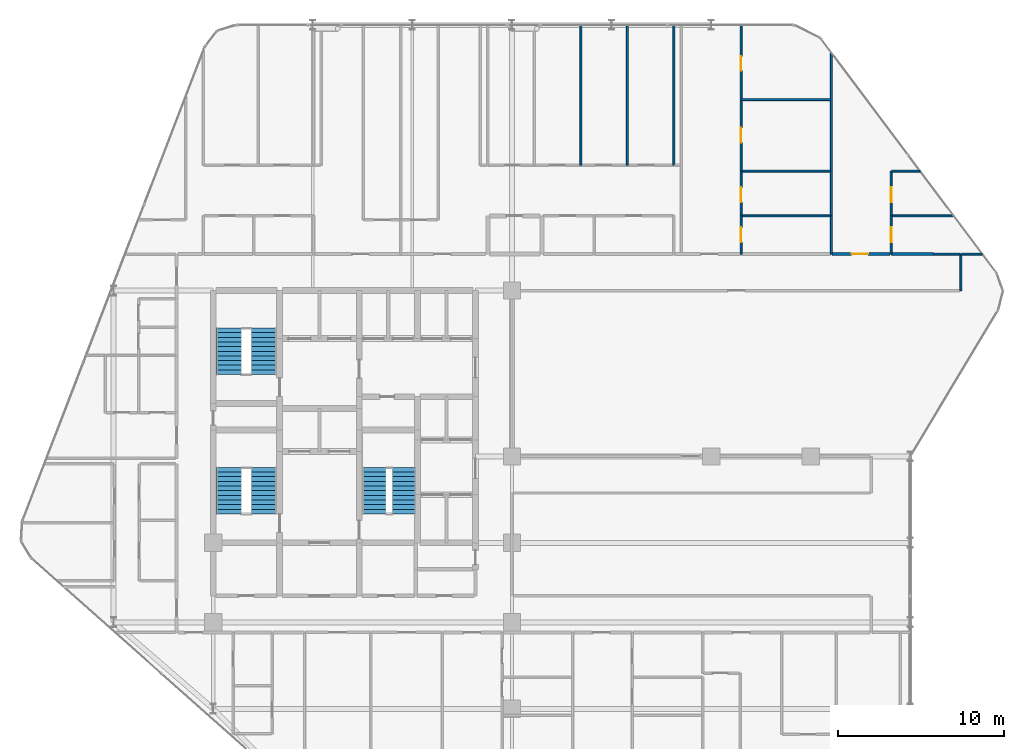
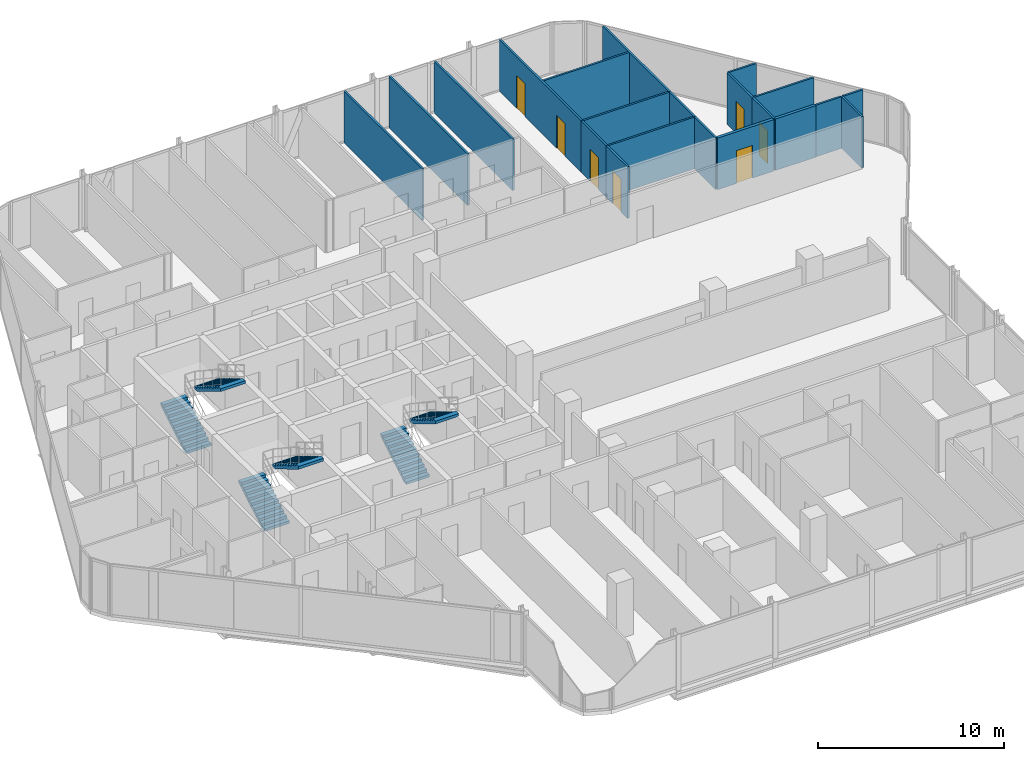
# One storey, part 29 of 30: 21 walls, 7 doors, 6 stair flights, 7 openings, 3 elements without a shape of their own.
"""IFC4 building model written with IfcOpenShell, lengths in metres."""

from ifc_helpers import new_model, si_unit, direction, frame, frame_2d, origin, place, context, subcontext, project, spatial, polyline, rectangle, outline, extrude, material, layer, layer_set, type_object, element, fill, aggregate, save


model = new_model("IFC4")

# Units and contexts
model_context = context("Model", 3, precision=1e-05, world=origin(), true_north=direction((0.0, 1.0)))
body_context = subcontext(model_context, "Body", "Model", "MODEL_VIEW")
ifc_project = project(units=[si_unit("LENGTHUNIT", "METRE"), si_unit("AREAUNIT", "SQUARE_METRE"), si_unit("VOLUMEUNIT", "CUBIC_METRE"), si_unit("PLANEANGLEUNIT", "RADIAN"), si_unit("MASSUNIT", "GRAM", prefix="KILO")], contexts=[model_context])

# Site, building, storey
site_placement = place(None, origin())
site = spatial("IfcSite", under=ifc_project, at=site_placement, CompositionType="ELEMENT")
building_placement = place(site_placement, origin())
building = spatial("IfcBuilding", under=site, at=building_placement, Name="Keshet Zoharim Tower", CompositionType="ELEMENT")
storey_placement = place(building_placement, frame((0.0, 0.0, 113.10009765625)))
storey = spatial("IfcBuildingStorey", under=building, at=storey_placement, Name="L27", CompositionType="ELEMENT", Elevation=113.10009765625)

# Wall, opening, door
ifc_material_1 = material(Name="Gypsum Plasterboard", Category="gypsum")
ifc_layer_1 = layer(ifc_material_1, 0.179931640625)
ifc_layer_set_1 = layer_set([ifc_layer_1], Name="Gypsum Plasterboard")
wall_type_1 = type_object("IfcWallType", Name="WL-CORR-180", PredefinedType="STANDARD", material=ifc_layer_set_1)
wall_1_placement = place(storey_placement, frame((52.27490234375, 40.10009765625, 0.0), z_axis=(0.0, 0.0, 1.0), x_axis=(1.0, 0.0, 0.0)))
wall_1 = element("IfcWall", 1, at=wall_1_placement, inside=storey, type_object=wall_type_1, Name="L27 Interior Wall 194", PredefinedType="STANDARD", context=body_context, shape_type="SweptSolid", body=[
    extrude(rectangle(XDim=3.510009765625, YDim=0.179931640625, at=frame_2d((1.7548828125, 0.0))), origin(), (0.0, 0.0, 1.0), 3.385009765625),
])
opening_1_placement = place(wall_1_placement, frame((1.18505859375, 0.0, 0.0)))
opening_1 = element("IfcOpeningElement", 2, at=opening_1_placement, cuts=wall_1, Name="Opening D-F310", PredefinedType="OPENING", context=body_context, shape_type="SweptSolid", body=[
    extrude(rectangle(XDim=1.0, YDim=2.14990234375, at=frame_2d((0.5, 1.074951171875))), frame((0.0, 0.10009765625, 0.0), z_axis=(0.0, -1.0, 0.0), x_axis=(1.0, 0.0, 0.0)), (0.0, 0.0, 1.0), 0.199951171875),
])
ifc_material_2 = material(Name="Hardwood Timber", Category="wood")
door_type_1 = type_object("IfcDoorType", Name="DR-FD30-100", OperationType="NOTDEFINED", PredefinedType="DOOR", material=ifc_material_2)
door_1_placement = place(opening_1_placement, origin())
door_1 = element("IfcDoor", 3, at=door_1_placement, inside=storey, type_object=door_type_1, Name="Apartment 2708 Entrance Door", OperationType="SINGLE_SWING_LEFT", OverallHeight=2.14990234375, OverallWidth=1.0, PredefinedType="DOOR", context=body_context, shape_type="SweptSolid", body=[
    extrude(rectangle(XDim=1.0, YDim=2.14990234375, at=frame_2d((0.5, 1.074951171875))), frame((0.0, 0.02490234375, 0.0), z_axis=(0.0, -1.0, 0.0), x_axis=(1.0, 0.0, 0.0)), (0.0, 0.0, 1.0), 0.050048828125),
])
fill(opening_1, door_1)

# Walls
wall_2_placement = place(storey_placement, frame((55.875, 40.10009765625, 0.0), z_axis=(0.0, 0.0, 1.0), x_axis=(1.0, 0.0, 0.0)))
element("IfcWall", 4, at=wall_2_placement, inside=storey, type_object=wall_type_1, Name="L27 Interior Wall 195", PredefinedType="STANDARD", context=body_context, shape_type="SweptSolid", body=[
    extrude(rectangle(XDim=2.52490234375, YDim=0.179931640625, at=frame_2d((1.262451171875, 0.0))), origin(), (0.0, 0.0, 1.0), 3.385009765625),
])
ifc_layer_2 = layer(ifc_material_1, 0.1201171875)
ifc_layer_set_2 = layer_set([ifc_layer_2], Name="Gypsum Plasterboard")
wall_type_2 = type_object("IfcWallType", Name="WL-PART-120", PredefinedType="PARTITIONING", material=ifc_layer_set_2)
for number, where, z_axis, x_axis, name in (
    (5, (37.14990234375, 45.449951171875, 0.0), (0.0, 0.0, 1.0), (0.0, 1.0, 0.0), "L27 Interior Wall 084"),
    (6, (39.949951171875, 45.449951171875, 0.0), (0.0, 0.0, 1.0), (0.0, 1.0, 0.0), "L27 Interior Wall 086"),
    (7, (42.75, 45.449951171875, 0.0), (0.0, 0.0, 1.0), (0.0, 1.0, 0.0), "L27 Interior Wall 091"),
):
    element("IfcWall", number, at=place(storey_placement, frame(where, z_axis=z_axis, x_axis=x_axis)), inside=storey, type_object=wall_type_2, Name=name, PredefinedType="PARTITIONING", context=body_context, shape_type="SweptSolid", body=[
        extrude(rectangle(XDim=8.43994140625, YDim=0.1201171875, at=frame_2d((4.219970703125, 0.0))), origin(), (0.0, 0.0, 1.0), 3.385009765625),
    ])

# Wall, opening, door
wall_3_placement = place(storey_placement, frame((46.800048828125, 40.10009765625, 0.0), z_axis=(0.0, 0.0, 1.0), x_axis=(0.0, 1.0, 0.0)))
wall_3 = element("IfcWall", 8, at=wall_3_placement, inside=storey, type_object=wall_type_2, Name="L27 Interior Wall 097", PredefinedType="PARTITIONING", context=body_context, shape_type="SweptSolid", body=[
    extrude(rectangle(XDim=2.2998046875, YDim=0.1201171875, at=frame_2d((1.14990234375, 0.0))), origin(), (0.0, 0.0, 1.0), 3.385009765625),
])
opening_2_placement = place(wall_3_placement, frame((0.699951171875, 0.0, 0.0)))
opening_2 = element("IfcOpeningElement", 9, at=opening_2_placement, cuts=wall_3, Name="Opening D-IN90", PredefinedType="OPENING", context=body_context, shape_type="SweptSolid", body=[
    extrude(rectangle(XDim=0.89990234375, YDim=2.14990234375, at=frame_2d((0.449951171875, 1.074951171875))), frame((0.0, 0.070068359375, 0.0), z_axis=(0.0, -1.0, 0.0), x_axis=(1.0, 0.0, 0.0)), (0.0, 0.0, 1.0), 0.14013671875),
])
door_type_2 = type_object("IfcDoorType", Name="DR-INT-090", OperationType="NOTDEFINED", PredefinedType="DOOR", material=ifc_material_2)
door_2_placement = place(opening_2_placement, origin())
door_2 = element("IfcDoor", 10, at=door_2_placement, inside=storey, type_object=door_type_2, Name="Apartment 2707 Kitchen Door", OperationType="SINGLE_SWING_RIGHT", OverallHeight=2.14990234375, OverallWidth=0.89990234375, PredefinedType="DOOR", context=body_context, shape_type="SweptSolid", body=[
    extrude(rectangle(XDim=0.89990234375, YDim=2.14990234375, at=frame_2d((0.449951171875, 1.074951171875))), frame((0.0, 0.02490234375, 0.0), z_axis=(0.0, -1.0, 0.0), x_axis=(1.0, 0.0, 0.0)), (0.0, 0.0, 1.0), 0.050048828125),
])
fill(opening_2, door_2)

# Wall, openings, doors
wall_4_placement = place(storey_placement, frame((46.800048828125, 45.10009765625, 0.0), z_axis=(0.0, 0.0, 1.0), x_axis=(0.0, 1.0, 0.0)))
wall_4 = element("IfcWall", 11, at=wall_4_placement, inside=storey, type_object=wall_type_2, Name="L27 Interior Wall 099", PredefinedType="PARTITIONING", context=body_context, shape_type="SweptSolid", body=[
    extrude(rectangle(XDim=8.789794921875, YDim=0.1201171875, at=frame_2d((4.39501953125, 0.0))), origin(), (0.0, 0.0, 1.0), 3.385009765625),
])
opening_3_placement = place(wall_4_placement, frame((1.7119140625, 0.0, 0.0)))
opening_3 = element("IfcOpeningElement", 12, at=opening_3_placement, cuts=wall_4, Name="Opening D-IN90", PredefinedType="OPENING", context=body_context, shape_type="SweptSolid", body=[
    extrude(rectangle(XDim=0.89990234375, YDim=2.14990234375, at=frame_2d((0.449951171875, 1.074951171875))), frame((0.0, 0.070068359375, 0.0), z_axis=(0.0, -1.0, 0.0), x_axis=(1.0, 0.0, 0.0)), (0.0, 0.0, 1.0), 0.14013671875),
])
opening_4_placement = place(wall_4_placement, frame((6.030029296875, 0.0, 0.0)))
opening_4 = element("IfcOpeningElement", 13, at=opening_4_placement, cuts=wall_4, Name="Opening D-IN90", PredefinedType="OPENING", context=body_context, shape_type="SweptSolid", body=[
    extrude(rectangle(XDim=0.89990234375, YDim=2.14990234375, at=frame_2d((0.449951171875, 1.074951171875))), frame((0.0, 0.070068359375, 0.0), z_axis=(0.0, -1.0, 0.0), x_axis=(1.0, 0.0, 0.0)), (0.0, 0.0, 1.0), 0.14013671875),
])
door_3_placement = place(opening_3_placement, origin())
door_3 = element("IfcDoor", 14, at=door_3_placement, inside=storey, type_object=door_type_2, Name="Apartment 2707 Bedroom 1 Door", OperationType="SINGLE_SWING_RIGHT", OverallHeight=2.14990234375, OverallWidth=0.89990234375, PredefinedType="DOOR", context=body_context, shape_type="SweptSolid", body=[
    extrude(rectangle(XDim=0.89990234375, YDim=2.14990234375, at=frame_2d((0.449951171875, 1.074951171875))), frame((0.0, 0.02490234375, 0.0), z_axis=(0.0, -1.0, 0.0), x_axis=(1.0, 0.0, 0.0)), (0.0, 0.0, 1.0), 0.050048828125),
])
fill(opening_3, door_3)
door_4_placement = place(opening_4_placement, origin())
door_4 = element("IfcDoor", 15, at=door_4_placement, inside=storey, type_object=door_type_2, Name="Apartment 2707 Bedroom 2 Door", OperationType="SINGLE_SWING_LEFT", OverallHeight=2.14990234375, OverallWidth=0.89990234375, PredefinedType="DOOR", context=body_context, shape_type="SweptSolid", body=[
    extrude(rectangle(XDim=0.89990234375, YDim=2.14990234375, at=frame_2d((0.449951171875, 1.074951171875))), frame((0.0, 0.02490234375, 0.0), z_axis=(0.0, -1.0, 0.0), x_axis=(1.0, 0.0, 0.0)), (0.0, 0.0, 1.0), 0.050048828125),
])
fill(opening_4, door_4)

# Walls
wall_5_placement = place(storey_placement, frame((52.25, 40.10009765625, 0.0), z_axis=(0.0, 0.0, 1.0), x_axis=(0.0, 1.0, 0.0)))
element("IfcWall", 16, at=wall_5_placement, inside=storey, type_object=wall_type_2, Name="L27 Interior Wall 104", PredefinedType="PARTITIONING", context=body_context, shape_type="SweptSolid", body=[
    extrude(rectangle(XDim=2.2998046875, YDim=0.1201171875, at=frame_2d((1.14990234375, 0.0))), origin(), (0.0, 0.0, 1.0), 3.385009765625),
])
wall_6_placement = place(storey_placement, frame((52.25, 45.10009765625, 0.0), z_axis=(0.0, 0.0, 1.0), x_axis=(0.0, 1.0, 0.0)))
element("IfcWall", 17, at=wall_6_placement, inside=storey, type_object=wall_type_2, Name="L27 Interior Wall 106", PredefinedType="PARTITIONING", context=body_context, shape_type="SweptSolid", body=[
    extrude(rectangle(XDim=7.122802734375, YDim=0.1201171875, at=frame_2d((3.5615234375, 0.0))), origin(), (0.0, 0.0, 1.0), 3.385009765625),
])

# Wall, opening, door
wall_7_placement = place(storey_placement, frame((55.85009765625, 40.10009765625, 0.0), z_axis=(0.0, 0.0, 1.0), x_axis=(0.0, 1.0, 0.0)))
wall_7 = element("IfcWall", 18, at=wall_7_placement, inside=storey, type_object=wall_type_2, Name="L27 Interior Wall 111", PredefinedType="PARTITIONING", context=body_context, shape_type="SweptSolid", body=[
    extrude(rectangle(XDim=2.2998046875, YDim=0.1201171875, at=frame_2d((1.14990234375, 0.0))), origin(), (0.0, 0.0, 1.0), 3.385009765625),
])
opening_5_placement = place(wall_7_placement, frame((0.699951171875, 0.0, 0.0)))
opening_5 = element("IfcOpeningElement", 19, at=opening_5_placement, cuts=wall_7, Name="Opening D-IN90", PredefinedType="OPENING", context=body_context, shape_type="SweptSolid", body=[
    extrude(rectangle(XDim=0.89990234375, YDim=2.14990234375, at=frame_2d((0.449951171875, 1.074951171875))), frame((0.0, 0.070068359375, 0.0), z_axis=(0.0, -1.0, 0.0), x_axis=(1.0, 0.0, 0.0)), (0.0, 0.0, 1.0), 0.14013671875),
])
door_5_placement = place(opening_5_placement, origin())
door_5 = element("IfcDoor", 20, at=door_5_placement, inside=storey, type_object=door_type_2, Name="Apartment 2708 Kitchen Door", OperationType="SINGLE_SWING_RIGHT", OverallHeight=2.14990234375, OverallWidth=0.89990234375, PredefinedType="DOOR", context=body_context, shape_type="SweptSolid", body=[
    extrude(rectangle(XDim=0.89990234375, YDim=2.14990234375, at=frame_2d((0.449951171875, 1.074951171875))), frame((0.0, 0.02490234375, 0.0), z_axis=(0.0, -1.0, 0.0), x_axis=(1.0, 0.0, 0.0)), (0.0, 0.0, 1.0), 0.050048828125),
])
fill(opening_5, door_5)

# Walls
wall_8_placement = place(storey_placement, frame((60.050048828125, 37.889892578125, 0.0), z_axis=(0.0, 0.0, 1.0), x_axis=(0.0, 1.0, 0.0)))
element("IfcWall", 21, at=wall_8_placement, inside=storey, type_object=wall_type_2, Name="L27 Interior Wall 114", PredefinedType="PARTITIONING", context=body_context, shape_type="SweptSolid", body=[
    extrude(rectangle(XDim=2.2001953125, YDim=0.1201171875, at=frame_2d((1.10009765625, 0.0))), origin(), (0.0, 0.0, 1.0), 3.385009765625),
])
wall_9_placement = place(storey_placement, frame((58.39990234375, 40.10009765625, 0.0), z_axis=(0.0, 0.0, 1.0), x_axis=(1.0, 0.0, 0.0)))
element("IfcWall", 22, at=wall_9_placement, inside=storey, type_object=wall_type_2, Name="L27 Interior Wall 196", PredefinedType="PARTITIONING", context=body_context, shape_type="SweptSolid", body=[
    extrude(rectangle(XDim=1.60498046875, YDim=0.1201171875, at=frame_2d((0.802490234375, 0.0))), origin(), (0.0, 0.0, 1.0), 3.385009765625),
])
wall_10_placement = place(storey_placement, frame((60.094970703125, 40.10009765625, 0.0), z_axis=(0.0, 0.0, 1.0), x_axis=(1.0, 0.0, 0.0)))
element("IfcWall", 23, at=wall_10_placement, inside=storey, type_object=wall_type_2, Name="L27 Interior Wall 197", PredefinedType="PARTITIONING", context=body_context, shape_type="SweptSolid", body=[
    extrude(rectangle(XDim=1.2451171875, YDim=0.1201171875, at=frame_2d((0.62255859375, 0.0))), origin(), (0.0, 0.0, 1.0), 3.385009765625),
])
wall_11_placement = place(storey_placement, frame((46.844970703125, 49.39990234375, 0.0), z_axis=(0.0, 0.0, 1.0), x_axis=(1.0, 0.0, 0.0)))
element("IfcWall", 24, at=wall_11_placement, inside=storey, type_object=wall_type_2, Name="L27 Interior Wall 214", PredefinedType="PARTITIONING", context=body_context, shape_type="SweptSolid", body=[
    extrude(rectangle(XDim=5.340087890625, YDim=0.1201171875, at=frame_2d((2.669921875, 0.0))), origin(), (0.0, 0.0, 1.0), 3.385009765625),
])

# Wall, opening, door
ifc_layer_3 = layer(ifc_material_1, 0.1201171875)
ifc_layer_set_3 = layer_set([ifc_layer_3], Name="Gypsum Plasterboard")
wall_type_3 = type_object("IfcWallType", Name="WL-WET-120", PredefinedType="PARTITIONING", material=ifc_layer_set_3)
wall_12_placement = place(storey_placement, frame((46.800048828125, 42.39990234375, 0.0), z_axis=(0.0, 0.0, 1.0), x_axis=(0.0, 1.0, 0.0)))
wall_12 = element("IfcWall", 25, at=wall_12_placement, inside=storey, type_object=wall_type_3, Name="L27 Interior Wall 098", PredefinedType="PARTITIONING", context=body_context, shape_type="SweptSolid", body=[
    extrude(rectangle(XDim=2.7001953125, YDim=0.1201171875, at=frame_2d((1.35009765625, 0.0))), origin(), (0.0, 0.0, 1.0), 3.385009765625),
])
opening_6_placement = place(wall_12_placement, frame((0.827880859375, 0.0, 0.0)))
opening_6 = element("IfcOpeningElement", 26, at=opening_6_placement, cuts=wall_12, Name="Opening D-WT90", PredefinedType="OPENING", context=body_context, shape_type="SweptSolid", body=[
    extrude(rectangle(XDim=0.89990234375, YDim=2.10009765625, at=frame_2d((0.449951171875, 1.050048828125))), frame((0.0, 0.070068359375, 0.0), z_axis=(0.0, -1.0, 0.0), x_axis=(1.0, 0.0, 0.0)), (0.0, 0.0, 1.0), 0.14013671875),
])
door_type_3 = type_object("IfcDoorType", Name="DR-WET-090", OperationType="NOTDEFINED", PredefinedType="DOOR", material=ifc_material_2)
door_6_placement = place(opening_6_placement, origin())
door_6 = element("IfcDoor", 27, at=door_6_placement, inside=storey, type_object=door_type_3, Name="Apartment 2707 Bathroom Door", OperationType="SINGLE_SWING_LEFT", OverallHeight=2.10009765625, OverallWidth=0.89990234375, PredefinedType="DOOR", context=body_context, shape_type="SweptSolid", body=[
    extrude(rectangle(XDim=0.89990234375, YDim=2.10009765625, at=frame_2d((0.449951171875, 1.050048828125))), frame((0.0, 0.02490234375, 0.0), z_axis=(0.0, -1.0, 0.0), x_axis=(1.0, 0.0, 0.0)), (0.0, 0.0, 1.0), 0.050048828125),
])
fill(opening_6, door_6)

# Wall
wall_13_placement = place(storey_placement, frame((52.25, 42.39990234375, 0.0), z_axis=(0.0, 0.0, 1.0), x_axis=(0.0, 1.0, 0.0)))
element("IfcWall", 28, at=wall_13_placement, inside=storey, type_object=wall_type_3, Name="L27 Interior Wall 105", PredefinedType="PARTITIONING", context=body_context, shape_type="SweptSolid", body=[
    extrude(rectangle(XDim=2.7001953125, YDim=0.1201171875, at=frame_2d((1.35009765625, 0.0))), origin(), (0.0, 0.0, 1.0), 3.385009765625),
])

# Wall, opening, door
wall_14_placement = place(storey_placement, frame((55.85009765625, 42.39990234375, 0.0), z_axis=(0.0, 0.0, 1.0), x_axis=(0.0, 1.0, 0.0)))
wall_14 = element("IfcWall", 29, at=wall_14_placement, inside=storey, type_object=wall_type_3, Name="L27 Interior Wall 112", PredefinedType="PARTITIONING", context=body_context, shape_type="SweptSolid", body=[
    extrude(rectangle(XDim=2.7001953125, YDim=0.1201171875, at=frame_2d((1.35009765625, 0.0))), origin(), (0.0, 0.0, 1.0), 3.385009765625),
])
opening_7_placement = place(wall_14_placement, frame((0.827880859375, 0.0, 0.0)))
opening_7 = element("IfcOpeningElement", 30, at=opening_7_placement, cuts=wall_14, Name="Opening D-WT90", PredefinedType="OPENING", context=body_context, shape_type="SweptSolid", body=[
    extrude(rectangle(XDim=0.89990234375, YDim=2.10009765625, at=frame_2d((0.449951171875, 1.050048828125))), frame((0.0, 0.070068359375, 0.0), z_axis=(0.0, -1.0, 0.0), x_axis=(1.0, 0.0, 0.0)), (0.0, 0.0, 1.0), 0.14013671875),
])
door_7_placement = place(opening_7_placement, origin())
door_7 = element("IfcDoor", 31, at=door_7_placement, inside=storey, type_object=door_type_3, Name="Apartment 2708 Bathroom Door", OperationType="SINGLE_SWING_LEFT", OverallHeight=2.10009765625, OverallWidth=0.89990234375, PredefinedType="DOOR", context=body_context, shape_type="SweptSolid", body=[
    extrude(rectangle(XDim=0.89990234375, YDim=2.10009765625, at=frame_2d((0.449951171875, 1.050048828125))), frame((0.0, 0.02490234375, 0.0), z_axis=(0.0, -1.0, 0.0), x_axis=(1.0, 0.0, 0.0)), (0.0, 0.0, 1.0), 0.050048828125),
])
fill(opening_7, door_7)

# Walls
wall_15_placement = place(storey_placement, frame((46.844970703125, 42.39990234375, 0.0), z_axis=(0.0, 0.0, 1.0), x_axis=(1.0, 0.0, 0.0)))
element("IfcWall", 32, at=wall_15_placement, inside=storey, type_object=wall_type_3, Name="L27 Interior Wall 205", PredefinedType="PARTITIONING", context=body_context, shape_type="SweptSolid", body=[
    extrude(rectangle(XDim=5.340087890625, YDim=0.1201171875, at=frame_2d((2.669921875, 0.0))), origin(), (0.0, 0.0, 1.0), 3.385009765625),
])
wall_16_placement = place(storey_placement, frame((55.875, 42.39990234375, 0.0), z_axis=(0.0, 0.0, 1.0), x_axis=(1.0, 0.0, 0.0)))
element("IfcWall", 33, at=wall_16_placement, inside=storey, type_object=wall_type_3, Name="L27 Interior Wall 206", PredefinedType="PARTITIONING", context=body_context, shape_type="SweptSolid", body=[
    extrude(rectangle(XDim=3.739990234375, YDim=0.1201171875, at=frame_2d((1.8701171875, 0.0))), origin(), (0.0, 0.0, 1.0), 3.385009765625),
])
wall_17_placement = place(storey_placement, frame((46.844970703125, 45.10009765625, 0.0), z_axis=(0.0, 0.0, 1.0), x_axis=(1.0, 0.0, 0.0)))
element("IfcWall", 34, at=wall_17_placement, inside=storey, type_object=wall_type_3, Name="L27 Interior Wall 207", PredefinedType="PARTITIONING", context=body_context, shape_type="SweptSolid", body=[
    extrude(rectangle(XDim=5.340087890625, YDim=0.1201171875, at=frame_2d((2.669921875, 0.0))), origin(), (0.0, 0.0, 1.0), 3.385009765625),
])
wall_18_placement = place(storey_placement, frame((55.875, 45.10009765625, 0.0), z_axis=(0.0, 0.0, 1.0), x_axis=(1.0, 0.0, 0.0)))
element("IfcWall", 35, at=wall_18_placement, inside=storey, type_object=wall_type_3, Name="L27 Interior Wall 208", PredefinedType="PARTITIONING", context=body_context, shape_type="SweptSolid", body=[
    extrude(rectangle(XDim=1.715087890625, YDim=0.1201171875, at=frame_2d((0.857421875, 0.0))), origin(), (0.0, 0.0, 1.0), 3.385009765625),
])

# Stair, stair flights
ifc_material_3 = material(Name="Concrete C50/60", Category="concrete")
stair_type = type_object("IfcStairType", Name="STR-EXIT-135", PredefinedType="HALF_TURN_STAIR", material=ifc_material_3)
stair_1_placement = place(storey_placement, origin())
stair_1 = element("IfcStair", 36, at=stair_1_placement, inside=storey, type_object=stair_type, Name="L27 Enclosed Exit Stair ST-01", PredefinedType="HALF_TURN_STAIR")
stair_flight_type_1 = type_object("IfcStairFlightType", Name="FLT-PRE-135", PredefinedType="STRAIGHT", material=ifc_material_3)
stair_flight_1_placement = place(storey_placement, frame((15.945068359375, 24.43994140625, 0.0), z_axis=(0.0, 0.0, 1.0), x_axis=(0.0, 1.0, 0.0)))
stair_flight_1 = element("IfcStairFlight", 37, at=stair_flight_1_placement, type_object=stair_flight_type_1, Name="ST-01 flight 1", NumberOfRisers=11, NumberOfTreads=10, PredefinedType="STRAIGHT", RiserHeight=0.168182, TreadLength=0.28, context=body_context, shape_type="SweptSolid", body=[
    extrude(outline(polyline([(0.0, 0.0), (0.0, 0.168212890625), (0.280029296875, 0.168212890625), (0.280029296875, 0.33642578125), (0.56005859375, 0.33642578125), (0.56005859375, 0.504638671875), (0.840087890625, 0.504638671875), (0.840087890625, 0.672607421875), (1.1201171875, 0.672607421875), (1.1201171875, 0.8408203125), (1.39990234375, 0.8408203125), (1.39990234375, 1.009033203125), (1.679931640625, 1.009033203125), (1.679931640625, 1.17724609375), (1.9599609375, 1.17724609375), (1.9599609375, 1.345458984375), (2.239990234375, 1.345458984375), (2.239990234375, 1.513671875), (2.52001953125, 1.513671875), (2.52001953125, 1.681884765625), (2.800048828125, 1.681884765625), (2.800048828125, 1.85009765625), (2.800048828125, 1.495361328125), (0.310546875, 0.0), (0.0, 0.0)])), frame((0.0, 0.76513671875, 0.0), z_axis=(0.0, -1.0, 0.0), x_axis=(1.0, 0.0, 0.0)), (0.0, 0.0, 1.0), 1.530029296875),
])
stair_flight_2_placement = place(storey_placement, frame((18.054931640625, 27.239990234375, 1.849853515625), z_axis=(0.0, 0.0, 1.0), x_axis=(0.0, -1.0, 0.0)))
stair_flight_2 = element("IfcStairFlight", 38, at=stair_flight_2_placement, type_object=stair_flight_type_1, Name="ST-01 flight 2", NumberOfRisers=11, NumberOfTreads=10, PredefinedType="STRAIGHT", RiserHeight=0.168182, TreadLength=0.28, context=body_context, shape_type="SweptSolid", body=[
    extrude(outline(polyline([(0.0, 0.0), (0.0, 0.168212890625), (0.280029296875, 0.168212890625), (0.280029296875, 0.33642578125), (0.56005859375, 0.33642578125), (0.56005859375, 0.504638671875), (0.840087890625, 0.504638671875), (0.840087890625, 0.672607421875), (1.1201171875, 0.672607421875), (1.1201171875, 0.8408203125), (1.39990234375, 0.8408203125), (1.39990234375, 1.009033203125), (1.679931640625, 1.009033203125), (1.679931640625, 1.17724609375), (1.9599609375, 1.17724609375), (1.9599609375, 1.345458984375), (2.239990234375, 1.345458984375), (2.239990234375, 1.513671875), (2.52001953125, 1.513671875), (2.52001953125, 1.681884765625), (2.800048828125, 1.681884765625), (2.800048828125, 1.85009765625), (2.800048828125, 1.495361328125), (0.310546875, 0.0), (0.0, 0.0)])), frame((0.0, 0.76513671875, 0.0), z_axis=(0.0, -1.0, 0.0), x_axis=(1.0, 0.0, 0.0)), (0.0, 0.0, 1.0), 1.530029296875),
])
aggregate(stair_1, [stair_flight_1, stair_flight_2])

stair_2_placement = place(storey_placement, origin())
stair_2 = element("IfcStair", 39, at=stair_2_placement, inside=storey, type_object=stair_type, Name="L27 Enclosed Exit Stair ST-02", PredefinedType="HALF_TURN_STAIR")
stair_flight_3_placement = place(storey_placement, frame((15.945068359375, 32.840087890625, 0.0), z_axis=(0.0, 0.0, 1.0), x_axis=(0.0, 1.0, 0.0)))
stair_flight_3 = element("IfcStairFlight", 40, at=stair_flight_3_placement, type_object=stair_flight_type_1, Name="ST-02 flight 1", NumberOfRisers=11, NumberOfTreads=10, PredefinedType="STRAIGHT", RiserHeight=0.168182, TreadLength=0.28, context=body_context, shape_type="SweptSolid", body=[
    extrude(outline(polyline([(0.0, 0.0), (0.0, 0.168212890625), (0.280029296875, 0.168212890625), (0.280029296875, 0.33642578125), (0.56005859375, 0.33642578125), (0.56005859375, 0.504638671875), (0.840087890625, 0.504638671875), (0.840087890625, 0.672607421875), (1.1201171875, 0.672607421875), (1.1201171875, 0.8408203125), (1.39990234375, 0.8408203125), (1.39990234375, 1.009033203125), (1.679931640625, 1.009033203125), (1.679931640625, 1.17724609375), (1.9599609375, 1.17724609375), (1.9599609375, 1.345458984375), (2.239990234375, 1.345458984375), (2.239990234375, 1.513671875), (2.52001953125, 1.513671875), (2.52001953125, 1.681884765625), (2.800048828125, 1.681884765625), (2.800048828125, 1.85009765625), (2.800048828125, 1.495361328125), (0.310546875, 0.0), (0.0, 0.0)])), frame((0.0, 0.76513671875, 0.0), z_axis=(0.0, -1.0, 0.0), x_axis=(1.0, 0.0, 0.0)), (0.0, 0.0, 1.0), 1.530029296875),
])
stair_flight_4_placement = place(storey_placement, frame((18.054931640625, 35.639892578125, 1.849853515625), z_axis=(0.0, 0.0, 1.0), x_axis=(0.0, -1.0, 0.0)))
stair_flight_4 = element("IfcStairFlight", 41, at=stair_flight_4_placement, type_object=stair_flight_type_1, Name="ST-02 flight 2", NumberOfRisers=11, NumberOfTreads=10, PredefinedType="STRAIGHT", RiserHeight=0.168182, TreadLength=0.28, context=body_context, shape_type="SweptSolid", body=[
    extrude(outline(polyline([(0.0, 0.0), (0.0, 0.168212890625), (0.280029296875, 0.168212890625), (0.280029296875, 0.33642578125), (0.56005859375, 0.33642578125), (0.56005859375, 0.504638671875), (0.840087890625, 0.504638671875), (0.840087890625, 0.672607421875), (1.1201171875, 0.672607421875), (1.1201171875, 0.8408203125), (1.39990234375, 0.8408203125), (1.39990234375, 1.009033203125), (1.679931640625, 1.009033203125), (1.679931640625, 1.17724609375), (1.9599609375, 1.17724609375), (1.9599609375, 1.345458984375), (2.239990234375, 1.345458984375), (2.239990234375, 1.513671875), (2.52001953125, 1.513671875), (2.52001953125, 1.681884765625), (2.800048828125, 1.681884765625), (2.800048828125, 1.85009765625), (2.800048828125, 1.495361328125), (0.310546875, 0.0), (0.0, 0.0)])), frame((0.0, 0.76513671875, 0.0), z_axis=(0.0, -1.0, 0.0), x_axis=(1.0, 0.0, 0.0)), (0.0, 0.0, 1.0), 1.530029296875),
])
aggregate(stair_2, [stair_flight_3, stair_flight_4])

stair_3_placement = place(storey_placement, origin())
stair_3 = element("IfcStair", 42, at=stair_3_placement, inside=storey, type_object=stair_type, Name="L27 Enclosed Exit Stair ST-03", PredefinedType="HALF_TURN_STAIR")
stair_flight_type_2 = type_object("IfcStairFlightType", Name="FLT-PRE-144", PredefinedType="STRAIGHT", material=ifc_material_3)
stair_flight_5_placement = place(storey_placement, frame((24.699951171875, 24.43994140625, 0.0), z_axis=(0.0, 0.0, 1.0), x_axis=(0.0, 1.0, 0.0)))
stair_flight_5 = element("IfcStairFlight", 43, at=stair_flight_5_placement, type_object=stair_flight_type_2, Name="ST-03 flight 1", NumberOfRisers=11, NumberOfTreads=10, PredefinedType="STRAIGHT", RiserHeight=0.168182, TreadLength=0.28, context=body_context, shape_type="SweptSolid", body=[
    extrude(outline(polyline([(0.0, 0.0), (0.0, 0.168212890625), (0.280029296875, 0.168212890625), (0.280029296875, 0.33642578125), (0.56005859375, 0.33642578125), (0.56005859375, 0.504638671875), (0.840087890625, 0.504638671875), (0.840087890625, 0.672607421875), (1.1201171875, 0.672607421875), (1.1201171875, 0.8408203125), (1.39990234375, 0.8408203125), (1.39990234375, 1.009033203125), (1.679931640625, 1.009033203125), (1.679931640625, 1.17724609375), (1.9599609375, 1.17724609375), (1.9599609375, 1.345458984375), (2.239990234375, 1.345458984375), (2.239990234375, 1.513671875), (2.52001953125, 1.513671875), (2.52001953125, 1.681884765625), (2.800048828125, 1.681884765625), (2.800048828125, 1.85009765625), (2.800048828125, 1.495361328125), (0.310546875, 0.0), (0.0, 0.0)])), frame((0.0, 0.719970703125, 0.0), z_axis=(0.0, -1.0, 0.0), x_axis=(1.0, 0.0, 0.0)), (0.0, 0.0, 1.0), 1.43994140625),
])
stair_flight_6_placement = place(storey_placement, frame((26.5, 27.239990234375, 1.849853515625), z_axis=(0.0, 0.0, 1.0), x_axis=(0.0, -1.0, 0.0)))
stair_flight_6 = element("IfcStairFlight", 44, at=stair_flight_6_placement, type_object=stair_flight_type_2, Name="ST-03 flight 2", NumberOfRisers=11, NumberOfTreads=10, PredefinedType="STRAIGHT", RiserHeight=0.168182, TreadLength=0.28, context=body_context, shape_type="SweptSolid", body=[
    extrude(outline(polyline([(0.0, 0.0), (0.0, 0.168212890625), (0.280029296875, 0.168212890625), (0.280029296875, 0.33642578125), (0.56005859375, 0.33642578125), (0.56005859375, 0.504638671875), (0.840087890625, 0.504638671875), (0.840087890625, 0.672607421875), (1.1201171875, 0.672607421875), (1.1201171875, 0.8408203125), (1.39990234375, 0.8408203125), (1.39990234375, 1.009033203125), (1.679931640625, 1.009033203125), (1.679931640625, 1.17724609375), (1.9599609375, 1.17724609375), (1.9599609375, 1.345458984375), (2.239990234375, 1.345458984375), (2.239990234375, 1.513671875), (2.52001953125, 1.513671875), (2.52001953125, 1.681884765625), (2.800048828125, 1.681884765625), (2.800048828125, 1.85009765625), (2.800048828125, 1.495361328125), (0.310546875, 0.0), (0.0, 0.0)])), frame((0.0, 0.719970703125, 0.0), z_axis=(0.0, -1.0, 0.0), x_axis=(1.0, 0.0, 0.0)), (0.0, 0.0, 1.0), 1.43994140625),
])
aggregate(stair_3, [stair_flight_5, stair_flight_6])

save(model, "model.ifc")
